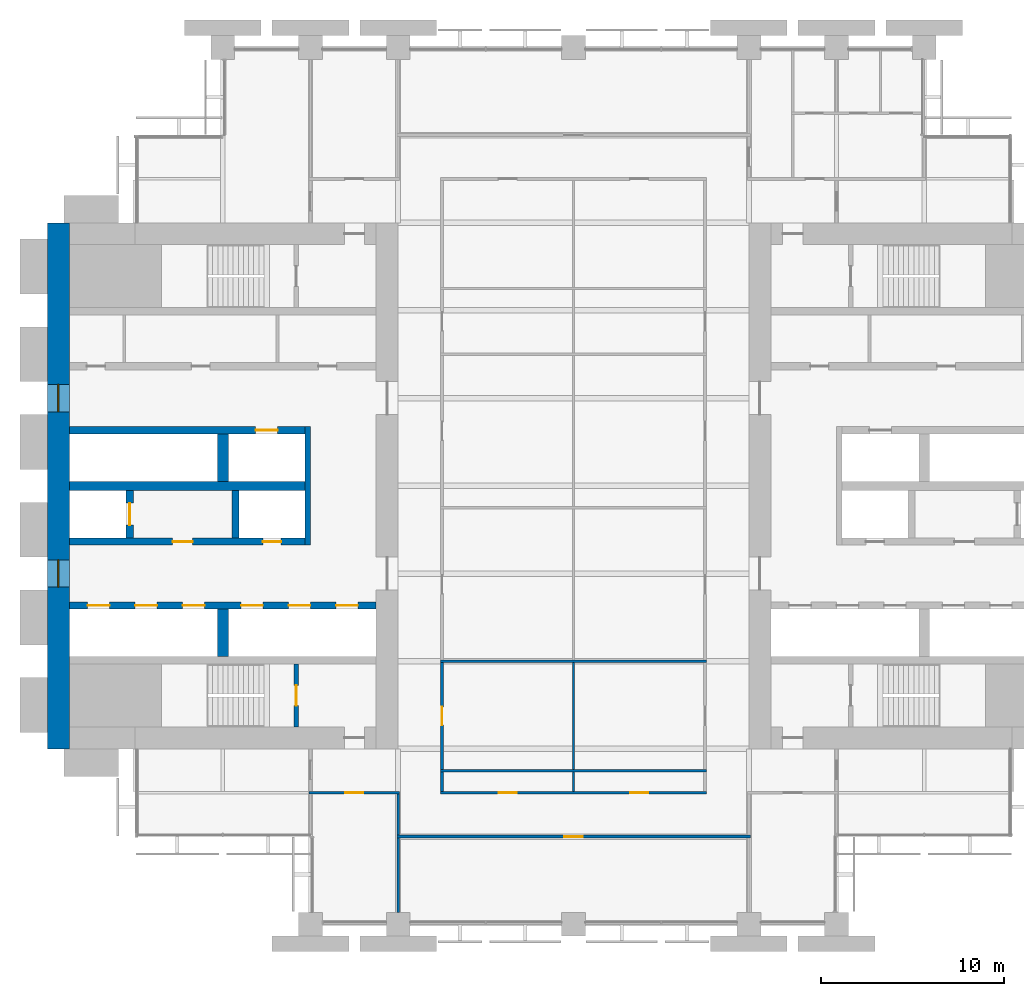
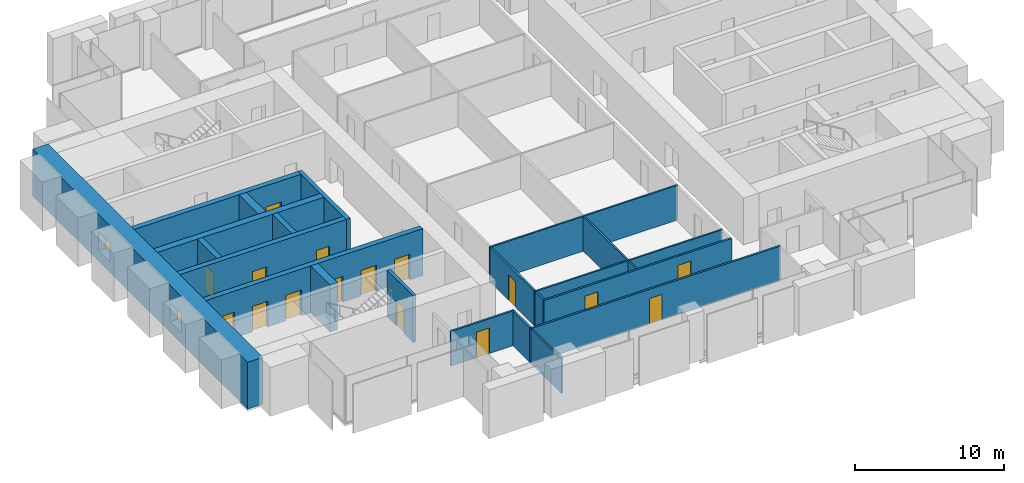
# One storey, part 9 of 14: 22 walls, 16 doors, 2 windows, 18 openings.
"""IFC4 building model written with IfcOpenShell, lengths in metres."""

from ifc_helpers import new_model, si_unit, direction, frame, frame_2d, origin, place, context, subcontext, project, spatial, rectangle, extrude, material, layer, layer_set, type_object, element, fill, save


model = new_model("IFC4")

# Units and contexts
model_context = context("Model", 3, precision=1e-05, world=origin(), true_north=direction((0.0, 1.0)))
body_context = subcontext(model_context, "Body", "Model", "MODEL_VIEW")
ifc_project = project(units=[si_unit("LENGTHUNIT", "METRE"), si_unit("AREAUNIT", "SQUARE_METRE"), si_unit("VOLUMEUNIT", "CUBIC_METRE"), si_unit("PLANEANGLEUNIT", "RADIAN"), si_unit("MASSUNIT", "GRAM", prefix="KILO")], contexts=[model_context])

# Site, building, storey
site_placement = place(None, origin())
site = spatial("IfcSite", under=ifc_project, at=site_placement, CompositionType="ELEMENT")
building_placement = place(site_placement, origin())
building = spatial("IfcBuilding", under=site, at=building_placement, Name="Baori Bourse Tower", CompositionType="ELEMENT")
storey_placement = place(building_placement, frame((0.0, 0.0, 79.0)))
storey = spatial("IfcBuildingStorey", under=building, at=storey_placement, Name="L17", CompositionType="ELEMENT", Elevation=79.0)

# Wall, openings, windows
ifc_material_1 = material(Name="Concrete f'c 70 MPa", Category="concrete")
ifc_layer_1 = layer(ifc_material_1, 1.199951171875)
ifc_layer_set_1 = layer_set([ifc_layer_1], Name="Core wall 1200 f'c 70")
wall_type_1 = type_object("IfcWallType", Name="Core wall 1200 f'c 70", PredefinedType="SHEAR", material=ifc_layer_set_1)
wall_1_placement = place(storey_placement, frame((0.60009765625, 9.60009765625, 0.0), z_axis=(0.0, 0.0, 1.0), x_axis=(0.0, 1.0, 0.0)))
wall_1 = element("IfcWall", 1, at=wall_1_placement, inside=storey, type_object=wall_type_1, Name="Core wall W01", PredefinedType="SHEAR", context=body_context, shape_type="SweptSolid", body=[
    extrude(rectangle(XDim=28.7998046875, YDim=1.199951171875, at=frame_2d((14.39990234375, 0.0))), origin(), (0.0, 0.0, 1.0), 3.840087890625),
])
opening_1_placement = place(wall_1_placement, frame((8.85009765625, 0.0, 0.89990234375)))
opening_1 = element("IfcOpeningElement", 2, at=opening_1_placement, cuts=wall_1, Name="Opening L17-KW101", PredefinedType="OPENING", context=body_context, shape_type="SweptSolid", body=[
    extrude(rectangle(XDim=1.5, YDim=1.5, at=frame_2d((0.75, 0.75))), frame((0.0, 0.60986328125, 0.0), z_axis=(0.0, -1.0, 0.0), x_axis=(1.0, 0.0, 0.0)), (0.0, 0.0, 1.0), 1.219970703125),
])
opening_2_placement = place(wall_1_placement, frame((18.449951171875, 0.0, 0.89990234375)))
opening_2 = element("IfcOpeningElement", 3, at=opening_2_placement, cuts=wall_1, Name="Opening L17-KW102", PredefinedType="OPENING", context=body_context, shape_type="SweptSolid", body=[
    extrude(rectangle(XDim=1.5, YDim=1.5, at=frame_2d((0.75, 0.75))), frame((0.0, 0.60986328125, 0.0), z_axis=(0.0, -1.0, 0.0), x_axis=(1.0, 0.0, 0.0)), (0.0, 0.0, 1.0), 1.219970703125),
])
ifc_material_2 = material(Name="Pale anodised aluminium", Category="aluminium")
window_type = type_object("IfcWindowType", Name="Lobby window 1500 x 1500", PartitioningType="SINGLE_PANEL", PredefinedType="WINDOW", material=ifc_material_2)
window_1_placement = place(opening_1_placement, origin())
window_1 = element("IfcWindow", 4, at=window_1_placement, inside=storey, type_object=window_type, Name="Outer wall window W L17 1", OverallHeight=1.5, OverallWidth=1.5, PartitioningType="SINGLE_PANEL", PredefinedType="WINDOW", context=body_context, shape_type="SweptSolid", body=[
    extrude(rectangle(XDim=1.5, YDim=1.5, at=frame_2d((0.75, 0.75))), frame((0.0, 0.030029296875, 0.0), z_axis=(0.0, -1.0, 0.0), x_axis=(1.0, 0.0, 0.0)), (0.0, 0.0, 1.0), 0.06005859375),
])
fill(opening_1, window_1)
window_2_placement = place(opening_2_placement, origin())
window_2 = element("IfcWindow", 5, at=window_2_placement, inside=storey, type_object=window_type, Name="Outer wall window W L17 2", OverallHeight=1.5, OverallWidth=1.5, PartitioningType="SINGLE_PANEL", PredefinedType="WINDOW", context=body_context, shape_type="SweptSolid", body=[
    extrude(rectangle(XDim=1.5, YDim=1.5, at=frame_2d((0.75, 0.75))), frame((0.0, 0.030029296875, 0.0), z_axis=(0.0, -1.0, 0.0), x_axis=(1.0, 0.0, 0.0)), (0.0, 0.0, 1.0), 0.06005859375),
])
fill(opening_2, window_2)

# Wall, opening, door
ifc_material_3 = material(Name="Gypsum board partition")
ifc_layer_2 = layer(ifc_material_3, 0.14990234375)
ifc_layer_set_2 = layer_set([ifc_layer_2], Name="Corridor partition 150")
wall_type_2 = type_object("IfcWallType", Name="Corridor partition 150", PredefinedType="PARTITIONING", material=ifc_layer_set_2)
wall_2_placement = place(storey_placement, frame((19.125, 4.800048828125, 0.0), z_axis=(0.0, 0.0, 1.0), x_axis=(1.0, 0.0, 0.0)))
wall_2 = element("IfcWall", 6, at=wall_2_placement, inside=storey, type_object=wall_type_2, Name="Partition", PredefinedType="PARTITIONING", context=body_context, shape_type="SweptSolid", body=[
    extrude(rectangle(XDim=19.35009765625, YDim=0.14990234375, at=frame_2d((9.675048828125, 0.0))), origin(), (0.0, 0.0, 1.0), 2.849365234375),
])
opening_3_placement = place(wall_2_placement, frame((9.175048828125, 0.0, 0.0)))
opening_3 = element("IfcOpeningElement", 7, at=opening_3_placement, cuts=wall_2, Name="Opening L17-D01", PredefinedType="OPENING", context=body_context, shape_type="SweptSolid", body=[
    extrude(rectangle(XDim=1.0, YDim=2.10009765625, at=frame_2d((0.5, 1.050048828125))), frame((0.0, 0.0849609375, 0.0), z_axis=(0.0, -1.0, 0.0), x_axis=(1.0, 0.0, 0.0)), (0.0, 0.0, 1.0), 0.169921875),
])
ifc_material_4 = material(Name="Timber door leaf", Category="wood")
door_type_1 = type_object("IfcDoorType", Name="Door 1000 x 2100", OperationType="SINGLE_SWING_LEFT", PredefinedType="DOOR", material=ifc_material_4)
door_1_placement = place(opening_3_placement, origin())
door_1 = element("IfcDoor", 8, at=door_1_placement, inside=storey, type_object=door_type_1, Name="Door", OperationType="SINGLE_SWING_LEFT", OverallHeight=2.10009765625, OverallWidth=1.0, PredefinedType="DOOR", context=body_context, shape_type="SweptSolid", body=[
    extrude(rectangle(XDim=1.0, YDim=2.10009765625, at=frame_2d((0.5, 1.050048828125))), frame((0.0, 0.02490234375, 0.0), z_axis=(0.0, -1.0, 0.0), x_axis=(1.0, 0.0, 0.0)), (0.0, 0.0, 1.0), 0.050048828125),
])
fill(opening_3, door_1)

wall_3_placement = place(storey_placement, frame((14.324951171875, 7.199951171875, 0.0), z_axis=(0.0, 0.0, 1.0), x_axis=(1.0, 0.0, 0.0)))
wall_3 = element("IfcWall", 9, at=wall_3_placement, inside=storey, type_object=wall_type_2, Name="Partition", PredefinedType="PARTITIONING", context=body_context, shape_type="SweptSolid", body=[
    extrude(rectangle(XDim=4.949951171875, YDim=0.14990234375, at=frame_2d((2.47509765625, 0.0))), origin(), (0.0, 0.0, 1.0), 2.849365234375),
])
opening_4_placement = place(wall_3_placement, frame((1.97509765625, 0.0, 0.0)))
opening_4 = element("IfcOpeningElement", 10, at=opening_4_placement, cuts=wall_3, Name="Opening L17-D02", PredefinedType="OPENING", context=body_context, shape_type="SweptSolid", body=[
    extrude(rectangle(XDim=1.0, YDim=2.10009765625, at=frame_2d((0.5, 1.050048828125))), frame((0.0, 0.0849609375, 0.0), z_axis=(0.0, -1.0, 0.0), x_axis=(1.0, 0.0, 0.0)), (0.0, 0.0, 1.0), 0.169921875),
])
door_2_placement = place(opening_4_placement, origin())
door_2 = element("IfcDoor", 11, at=door_2_placement, inside=storey, type_object=door_type_1, Name="Door", OperationType="SINGLE_SWING_RIGHT", OverallHeight=2.10009765625, OverallWidth=1.0, PredefinedType="DOOR", context=body_context, shape_type="SweptSolid", body=[
    extrude(rectangle(XDim=1.0, YDim=2.10009765625, at=frame_2d((0.5, 1.050048828125))), frame((0.0, 0.02490234375, 0.0), z_axis=(0.0, -1.0, 0.0), x_axis=(1.0, 0.0, 0.0)), (0.0, 0.0, 1.0), 0.050048828125),
])
fill(opening_4, door_2)

# Wall, openings, doors
wall_4_placement = place(storey_placement, frame((21.52490234375, 7.199951171875, 0.0), z_axis=(0.0, 0.0, 1.0), x_axis=(1.0, 0.0, 0.0)))
wall_4 = element("IfcWall", 12, at=wall_4_placement, inside=storey, type_object=wall_type_2, Name="Partition", PredefinedType="PARTITIONING", context=body_context, shape_type="SweptSolid", body=[
    extrude(rectangle(XDim=14.550048828125, YDim=0.14990234375, at=frame_2d((7.27490234375, 0.0))), origin(), (0.0, 0.0, 1.0), 2.849365234375),
])
opening_5_placement = place(wall_4_placement, frame((3.175048828125, 0.0, 0.0)))
opening_5 = element("IfcOpeningElement", 13, at=opening_5_placement, cuts=wall_4, Name="Opening L17-D03", PredefinedType="OPENING", context=body_context, shape_type="SweptSolid", body=[
    extrude(rectangle(XDim=1.0, YDim=2.10009765625, at=frame_2d((0.5, 1.050048828125))), frame((0.0, 0.0849609375, 0.0), z_axis=(0.0, -1.0, 0.0), x_axis=(1.0, 0.0, 0.0)), (0.0, 0.0, 1.0), 0.169921875),
])
opening_6_placement = place(wall_4_placement, frame((10.375, 0.0, 0.0)))
opening_6 = element("IfcOpeningElement", 14, at=opening_6_placement, cuts=wall_4, Name="Opening L17-D04", PredefinedType="OPENING", context=body_context, shape_type="SweptSolid", body=[
    extrude(rectangle(XDim=1.0, YDim=2.10009765625, at=frame_2d((0.5, 1.050048828125))), frame((0.0, 0.0849609375, 0.0), z_axis=(0.0, -1.0, 0.0), x_axis=(1.0, 0.0, 0.0)), (0.0, 0.0, 1.0), 0.169921875),
])
door_3_placement = place(opening_5_placement, origin())
door_3 = element("IfcDoor", 15, at=door_3_placement, inside=storey, type_object=door_type_1, Name="Door", OperationType="SINGLE_SWING_RIGHT", OverallHeight=2.10009765625, OverallWidth=1.0, PredefinedType="DOOR", context=body_context, shape_type="SweptSolid", body=[
    extrude(rectangle(XDim=1.0, YDim=2.10009765625, at=frame_2d((0.5, 1.050048828125))), frame((0.0, 0.02490234375, 0.0), z_axis=(0.0, -1.0, 0.0), x_axis=(1.0, 0.0, 0.0)), (0.0, 0.0, 1.0), 0.050048828125),
])
fill(opening_5, door_3)
door_4_placement = place(opening_6_placement, origin())
door_4 = element("IfcDoor", 16, at=door_4_placement, inside=storey, type_object=door_type_1, Name="Door", OperationType="SINGLE_SWING_LEFT", OverallHeight=2.10009765625, OverallWidth=1.0, PredefinedType="DOOR", context=body_context, shape_type="SweptSolid", body=[
    extrude(rectangle(XDim=1.0, YDim=2.10009765625, at=frame_2d((0.5, 1.050048828125))), frame((0.0, 0.02490234375, 0.0), z_axis=(0.0, -1.0, 0.0), x_axis=(1.0, 0.0, 0.0)), (0.0, 0.0, 1.0), 0.050048828125),
])
fill(opening_6, door_4)

# Walls
wall_5_placement = place(storey_placement, frame((19.199951171875, 4.875, 0.0), z_axis=(0.0, 0.0, 1.0), x_axis=(0.0, 1.0, 0.0)))
element("IfcWall", 17, at=wall_5_placement, inside=storey, type_object=wall_type_2, Name="Partition", PredefinedType="PARTITIONING", context=body_context, shape_type="SweptSolid", body=[
    extrude(rectangle(XDim=2.25, YDim=0.14990234375, at=frame_2d((1.125, 0.0))), origin(), (0.0, 0.0, 1.0), 2.849365234375),
])
wall_6_placement = place(storey_placement, frame((21.60009765625, 7.27490234375, 0.0), z_axis=(0.0, 0.0, 1.0), x_axis=(0.0, 1.0, 0.0)))
element("IfcWall", 18, at=wall_6_placement, inside=storey, type_object=wall_type_2, Name="Partition", PredefinedType="PARTITIONING", context=body_context, shape_type="SweptSolid", body=[
    extrude(rectangle(XDim=1.0625, YDim=0.14990234375, at=frame_2d((0.53125, 0.0))), origin(), (0.0, 0.0, 1.0), 2.849365234375),
])

# Wall, opening, door
wall_7_placement = place(storey_placement, frame((21.60009765625, 8.46240234375, 0.0), z_axis=(0.0, 0.0, 1.0), x_axis=(0.0, 1.0, 0.0)))
wall_7 = element("IfcWall", 19, at=wall_7_placement, inside=storey, type_object=wall_type_2, Name="Partition", PredefinedType="PARTITIONING", context=body_context, shape_type="SweptSolid", body=[
    extrude(rectangle(XDim=5.875, YDim=0.14990234375, at=frame_2d((2.9375, 0.0))), origin(), (0.0, 0.0, 1.0), 2.849365234375),
])
opening_7_placement = place(wall_7_placement, frame((2.4375, 0.0, 0.0)))
opening_7 = element("IfcOpeningElement", 20, at=opening_7_placement, cuts=wall_7, Name="Opening L17-D16", PredefinedType="OPENING", context=body_context, shape_type="SweptSolid", body=[
    extrude(rectangle(XDim=1.0, YDim=2.10009765625, at=frame_2d((0.5, 1.050048828125))), frame((0.0, 0.0849609375, 0.0), z_axis=(0.0, -1.0, 0.0), x_axis=(1.0, 0.0, 0.0)), (0.0, 0.0, 1.0), 0.169921875),
])
door_5_placement = place(opening_7_placement, origin())
door_5 = element("IfcDoor", 21, at=door_5_placement, inside=storey, type_object=door_type_1, Name="Door", OperationType="SINGLE_SWING_LEFT", OverallHeight=2.10009765625, OverallWidth=1.0, PredefinedType="DOOR", context=body_context, shape_type="SweptSolid", body=[
    extrude(rectangle(XDim=1.0, YDim=2.10009765625, at=frame_2d((0.5, 1.050048828125))), frame((0.0, 0.02490234375, 0.0), z_axis=(0.0, -1.0, 0.0), x_axis=(1.0, 0.0, 0.0)), (0.0, 0.0, 1.0), 0.050048828125),
])
fill(opening_7, door_5)

# Walls
ifc_material_5 = material(Name="Gypsum board partition")
ifc_layer_3 = layer(ifc_material_5, 0.125)
ifc_layer_set_3 = layer_set([ifc_layer_3], Name="Partition 125")
wall_type_3 = type_object("IfcWallType", Name="Partition 125", PredefinedType="PARTITIONING", material=ifc_layer_set_3)
for number, where, z_axis, x_axis, name in (
    (22, (21.52490234375, 8.39990234375, 0.0), (0.0, 0.0, 1.0), (1.0, 0.0, 0.0), "Partition"),
    (23, (21.52490234375, 14.39990234375, 0.0), (0.0, 0.0, 1.0), (1.0, 0.0, 0.0), "Partition"),
):
    element("IfcWall", number, at=place(storey_placement, frame(where, z_axis=z_axis, x_axis=x_axis)), inside=storey, type_object=wall_type_3, Name=name, PredefinedType="PARTITIONING", context=body_context, shape_type="SweptSolid", body=[
        extrude(rectangle(XDim=14.550048828125, YDim=0.125, at=frame_2d((7.27490234375, 0.0))), origin(), (0.0, 0.0, 1.0), 2.849365234375),
    ])
wall_8_placement = place(storey_placement, frame((19.199951171875, 0.64990234375, 0.0), z_axis=(0.0, 0.0, 1.0), x_axis=(0.0, 1.0, 0.0)))
element("IfcWall", 24, at=wall_8_placement, inside=storey, type_object=wall_type_3, Name="Partition", PredefinedType="PARTITIONING", context=body_context, shape_type="SweptSolid", body=[
    extrude(rectangle(XDim=4.0751953125, YDim=0.125, at=frame_2d((2.03759765625, 0.0))), origin(), (0.0, 0.0, 1.0), 2.849365234375),
])
wall_9_placement = place(storey_placement, frame((28.800048828125, 7.27490234375, 0.0), z_axis=(0.0, 0.0, 1.0), x_axis=(0.0, 1.0, 0.0)))
element("IfcWall", 25, at=wall_9_placement, inside=storey, type_object=wall_type_3, Name="Partition", PredefinedType="PARTITIONING", context=body_context, shape_type="SweptSolid", body=[
    extrude(rectangle(XDim=1.0625, YDim=0.125, at=frame_2d((0.53125, 0.0))), origin(), (0.0, 0.0, 1.0), 2.849365234375),
])
wall_10_placement = place(storey_placement, frame((28.800048828125, 8.46240234375, 0.0), z_axis=(0.0, 0.0, 1.0), x_axis=(0.0, 1.0, 0.0)))
element("IfcWall", 26, at=wall_10_placement, inside=storey, type_object=wall_type_3, Name="Partition", PredefinedType="PARTITIONING", context=body_context, shape_type="SweptSolid", body=[
    extrude(rectangle(XDim=5.875, YDim=0.125, at=frame_2d((2.9375, 0.0))), origin(), (0.0, 0.0, 1.0), 2.849365234375),
])

# Wall, opening, door
ifc_material_6 = material(Name="Concrete f'c 70 MPa", Category="concrete")
ifc_layer_4 = layer(ifc_material_6, 0.25)
ifc_layer_set_4 = layer_set([ifc_layer_4], Name="Shaft wall 250 f'c 70")
wall_type_4 = type_object("IfcWallType", Name="Shaft wall 250 f'c 70", PredefinedType="SHEAR", material=ifc_layer_set_4)
wall_11_placement = place(storey_placement, frame((13.625, 10.800048828125, 0.0), z_axis=(0.0, 0.0, 1.0), x_axis=(0.0, 1.0, 0.0)))
wall_11 = element("IfcWall", 27, at=wall_11_placement, inside=storey, type_object=wall_type_4, Name="Core wall W06", PredefinedType="SHEAR", context=body_context, shape_type="SweptSolid", body=[
    extrude(rectangle(XDim=3.449951171875, YDim=0.25, at=frame_2d((1.72509765625, 0.0))), origin(), (0.0, 0.0, 1.0), 3.840087890625),
])
opening_8_placement = place(wall_11_placement, frame((1.175048828125, 0.0, 0.0)))
opening_8 = element("IfcOpeningElement", 28, at=opening_8_placement, cuts=wall_11, Name="Opening L17-D101", PredefinedType="OPENING", context=body_context, shape_type="SweptSolid", body=[
    extrude(rectangle(XDim=1.10009765625, YDim=2.10009765625, at=frame_2d((0.550048828125, 1.050048828125))), frame((0.0, 0.135009765625, 0.0), z_axis=(0.0, -1.0, 0.0), x_axis=(1.0, 0.0, 0.0)), (0.0, 0.0, 1.0), 0.27001953125),
])
ifc_material_7 = material(Name="Painted steel door", Category="steel")
door_type_2 = type_object("IfcDoorType", Name="Stair door 1100", OperationType="SINGLE_SWING_LEFT", PredefinedType="DOOR", material=ifc_material_7)
door_6_placement = place(opening_8_placement, origin())
door_6 = element("IfcDoor", 29, at=door_6_placement, inside=storey, type_object=door_type_2, Name="Stair door A W L17", OperationType="SINGLE_SWING_LEFT", OverallHeight=2.10009765625, OverallWidth=1.10009765625, PredefinedType="DOOR", context=body_context, shape_type="SweptSolid", body=[
    extrude(rectangle(XDim=1.10009765625, YDim=2.10009765625, at=frame_2d((0.550048828125, 1.050048828125))), frame((0.0, 0.02490234375, 0.0), z_axis=(0.0, -1.0, 0.0), x_axis=(1.0, 0.0, 0.0)), (0.0, 0.0, 1.0), 0.050048828125),
])
fill(opening_8, door_6)

# Wall
ifc_material_8 = material(Name="Concrete f'c 70 MPa", Category="concrete")
ifc_layer_5 = layer(ifc_material_8, 0.300048828125)
ifc_layer_set_5 = layer_set([ifc_layer_5], Name="Shaft wall 300 f'c 70")
wall_type_5 = type_object("IfcWallType", Name="Shaft wall 300 f'c 70", PredefinedType="SHEAR", material=ifc_layer_set_5)
wall_12_placement = place(storey_placement, frame((14.25, 20.75, 0.0), z_axis=(0.0, 0.0, 1.0), x_axis=(0.0, 1.0, 0.0)))
element("IfcWall", 30, at=wall_12_placement, inside=storey, type_object=wall_type_5, Name="Core wall W11", PredefinedType="SHEAR", context=body_context, shape_type="SweptSolid", body=[
    extrude(rectangle(XDim=6.5, YDim=0.300048828125, at=frame_2d((3.25, 0.0))), origin(), (0.0, 0.0, 1.0), 3.840087890625),
])

# Wall, openings, doors
ifc_material_9 = material(Name="Concrete f'c 70 MPa", Category="concrete")
ifc_layer_6 = layer(ifc_material_9, 0.39990234375)
ifc_layer_set_6 = layer_set([ifc_layer_6], Name="Shaft wall 400 f'c 70")
wall_type_6 = type_object("IfcWallType", Name="Shaft wall 400 f'c 70", PredefinedType="SHEAR", material=ifc_layer_set_6)
wall_13_placement = place(storey_placement, frame((1.199951171875, 17.449951171875, 0.0), z_axis=(0.0, 0.0, 1.0), x_axis=(1.0, 0.0, 0.0)))
wall_13 = element("IfcWall", 31, at=wall_13_placement, inside=storey, type_object=wall_type_6, Name="Core wall W09", PredefinedType="SHEAR", context=body_context, shape_type="SweptSolid", body=[
    extrude(rectangle(XDim=16.800048828125, YDim=0.39990234375, at=frame_2d((8.39990234375, 0.0))), origin(), (0.0, 0.0, 1.0), 3.840087890625),
])
opening_9_placement = place(wall_13_placement, frame((1.0, 0.0, 0.0)))
opening_9 = element("IfcOpeningElement", 32, at=opening_9_placement, cuts=wall_13, Name="Opening L17-D112", PredefinedType="OPENING", context=body_context, shape_type="SweptSolid", body=[
    extrude(rectangle(XDim=1.199951171875, YDim=2.10009765625, at=frame_2d((0.60009765625, 1.050048828125))), frame((0.0, 0.2099609375, 0.0), z_axis=(0.0, -1.0, 0.0), x_axis=(1.0, 0.0, 0.0)), (0.0, 0.0, 1.0), 0.419921875),
])
opening_10_placement = place(wall_13_placement, frame((3.60009765625, 0.0, 0.0)))
opening_10 = element("IfcOpeningElement", 33, at=opening_10_placement, cuts=wall_13, Name="Opening L17-D113", PredefinedType="OPENING", context=body_context, shape_type="SweptSolid", body=[
    extrude(rectangle(XDim=1.199951171875, YDim=2.10009765625, at=frame_2d((0.60009765625, 1.050048828125))), frame((0.0, 0.2099609375, 0.0), z_axis=(0.0, -1.0, 0.0), x_axis=(1.0, 0.0, 0.0)), (0.0, 0.0, 1.0), 0.419921875),
])
opening_11_placement = place(wall_13_placement, frame((6.199951171875, 0.0, 0.0)))
opening_11 = element("IfcOpeningElement", 34, at=opening_11_placement, cuts=wall_13, Name="Opening L17-D114", PredefinedType="OPENING", context=body_context, shape_type="SweptSolid", body=[
    extrude(rectangle(XDim=1.199951171875, YDim=2.10009765625, at=frame_2d((0.60009765625, 1.050048828125))), frame((0.0, 0.2099609375, 0.0), z_axis=(0.0, -1.0, 0.0), x_axis=(1.0, 0.0, 0.0)), (0.0, 0.0, 1.0), 0.419921875),
])
opening_12_placement = place(wall_13_placement, frame((9.39990234375, 0.0, 0.0)))
opening_12 = element("IfcOpeningElement", 35, at=opening_12_placement, cuts=wall_13, Name="Opening L17-D115", PredefinedType="OPENING", context=body_context, shape_type="SweptSolid", body=[
    extrude(rectangle(XDim=1.199951171875, YDim=2.10009765625, at=frame_2d((0.60009765625, 1.050048828125))), frame((0.0, 0.2099609375, 0.0), z_axis=(0.0, -1.0, 0.0), x_axis=(1.0, 0.0, 0.0)), (0.0, 0.0, 1.0), 0.419921875),
])
opening_13_placement = place(wall_13_placement, frame((12.0, 0.0, 0.0)))
opening_13 = element("IfcOpeningElement", 36, at=opening_13_placement, cuts=wall_13, Name="Opening L17-D116", PredefinedType="OPENING", context=body_context, shape_type="SweptSolid", body=[
    extrude(rectangle(XDim=1.199951171875, YDim=2.10009765625, at=frame_2d((0.60009765625, 1.050048828125))), frame((0.0, 0.2099609375, 0.0), z_axis=(0.0, -1.0, 0.0), x_axis=(1.0, 0.0, 0.0)), (0.0, 0.0, 1.0), 0.419921875),
])
opening_14_placement = place(wall_13_placement, frame((14.60009765625, 0.0, 0.0)))
opening_14 = element("IfcOpeningElement", 37, at=opening_14_placement, cuts=wall_13, Name="Opening L17-D117", PredefinedType="OPENING", context=body_context, shape_type="SweptSolid", body=[
    extrude(rectangle(XDim=1.199951171875, YDim=2.10009765625, at=frame_2d((0.60009765625, 1.050048828125))), frame((0.0, 0.2099609375, 0.0), z_axis=(0.0, -1.0, 0.0), x_axis=(1.0, 0.0, 0.0)), (0.0, 0.0, 1.0), 0.419921875),
])
ifc_material_10 = material(Name="Stainless steel door", Category="steel")
door_type_3 = type_object("IfcDoorType", Name="Lift landing door", OperationType="DOUBLE_DOOR_SLIDING", PredefinedType="DOOR", material=ifc_material_10)
door_7_placement = place(opening_9_placement, origin())
door_7 = element("IfcDoor", 38, at=door_7_placement, inside=storey, type_object=door_type_3, Name="Lift landing door LR1 W L17", OperationType="DOUBLE_DOOR_SLIDING", OverallHeight=2.10009765625, OverallWidth=1.199951171875, PredefinedType="DOOR", context=body_context, shape_type="SweptSolid", body=[
    extrude(rectangle(XDim=1.199951171875, YDim=2.10009765625, at=frame_2d((0.60009765625, 1.050048828125))), frame((0.0, 0.02490234375, 0.0), z_axis=(0.0, -1.0, 0.0), x_axis=(1.0, 0.0, 0.0)), (0.0, 0.0, 1.0), 0.050048828125),
])
fill(opening_9, door_7)
door_8_placement = place(opening_10_placement, origin())
door_8 = element("IfcDoor", 39, at=door_8_placement, inside=storey, type_object=door_type_3, Name="Lift landing door LR2 W L17", OperationType="DOUBLE_DOOR_SLIDING", OverallHeight=2.10009765625, OverallWidth=1.199951171875, PredefinedType="DOOR", context=body_context, shape_type="SweptSolid", body=[
    extrude(rectangle(XDim=1.199951171875, YDim=2.10009765625, at=frame_2d((0.60009765625, 1.050048828125))), frame((0.0, 0.02490234375, 0.0), z_axis=(0.0, -1.0, 0.0), x_axis=(1.0, 0.0, 0.0)), (0.0, 0.0, 1.0), 0.050048828125),
])
fill(opening_10, door_8)
door_9_placement = place(opening_11_placement, origin())
door_9 = element("IfcDoor", 40, at=door_9_placement, inside=storey, type_object=door_type_3, Name="Lift landing door LR3 W L17", OperationType="DOUBLE_DOOR_SLIDING", OverallHeight=2.10009765625, OverallWidth=1.199951171875, PredefinedType="DOOR", context=body_context, shape_type="SweptSolid", body=[
    extrude(rectangle(XDim=1.199951171875, YDim=2.10009765625, at=frame_2d((0.60009765625, 1.050048828125))), frame((0.0, 0.02490234375, 0.0), z_axis=(0.0, -1.0, 0.0), x_axis=(1.0, 0.0, 0.0)), (0.0, 0.0, 1.0), 0.050048828125),
])
fill(opening_11, door_9)
door_10_placement = place(opening_12_placement, origin())
door_10 = element("IfcDoor", 41, at=door_10_placement, inside=storey, type_object=door_type_3, Name="Lift landing door LR4 W L17", OperationType="DOUBLE_DOOR_SLIDING", OverallHeight=2.10009765625, OverallWidth=1.199951171875, PredefinedType="DOOR", context=body_context, shape_type="SweptSolid", body=[
    extrude(rectangle(XDim=1.199951171875, YDim=2.10009765625, at=frame_2d((0.60009765625, 1.050048828125))), frame((0.0, 0.02490234375, 0.0), z_axis=(0.0, -1.0, 0.0), x_axis=(1.0, 0.0, 0.0)), (0.0, 0.0, 1.0), 0.050048828125),
])
fill(opening_12, door_10)
door_11_placement = place(opening_13_placement, origin())
door_11 = element("IfcDoor", 42, at=door_11_placement, inside=storey, type_object=door_type_3, Name="Lift landing door LR5 W L17", OperationType="DOUBLE_DOOR_SLIDING", OverallHeight=2.10009765625, OverallWidth=1.199951171875, PredefinedType="DOOR", context=body_context, shape_type="SweptSolid", body=[
    extrude(rectangle(XDim=1.199951171875, YDim=2.10009765625, at=frame_2d((0.60009765625, 1.050048828125))), frame((0.0, 0.02490234375, 0.0), z_axis=(0.0, -1.0, 0.0), x_axis=(1.0, 0.0, 0.0)), (0.0, 0.0, 1.0), 0.050048828125),
])
fill(opening_13, door_11)
door_12_placement = place(opening_14_placement, origin())
door_12 = element("IfcDoor", 43, at=door_12_placement, inside=storey, type_object=door_type_3, Name="Lift landing door LR6 W L17", OperationType="DOUBLE_DOOR_SLIDING", OverallHeight=2.10009765625, OverallWidth=1.199951171875, PredefinedType="DOOR", context=body_context, shape_type="SweptSolid", body=[
    extrude(rectangle(XDim=1.199951171875, YDim=2.10009765625, at=frame_2d((0.60009765625, 1.050048828125))), frame((0.0, 0.02490234375, 0.0), z_axis=(0.0, -1.0, 0.0), x_axis=(1.0, 0.0, 0.0)), (0.0, 0.0, 1.0), 0.050048828125),
])
fill(opening_14, door_12)

wall_14_placement = place(storey_placement, frame((1.199951171875, 20.949951171875, 0.0), z_axis=(0.0, 0.0, 1.0), x_axis=(1.0, 0.0, 0.0)))
wall_14 = element("IfcWall", 44, at=wall_14_placement, inside=storey, type_object=wall_type_6, Name="Core wall W10", PredefinedType="SHEAR", context=body_context, shape_type="SweptSolid", body=[
    extrude(rectangle(XDim=12.900146484375, YDim=0.39990234375, at=frame_2d((6.4501953125, 0.0))), origin(), (0.0, 0.0, 1.0), 3.840087890625),
])
opening_15_placement = place(wall_14_placement, frame((5.64990234375, 0.0, 0.0)))
opening_15 = element("IfcOpeningElement", 45, at=opening_15_placement, cuts=wall_14, Name="Opening L17-D105", PredefinedType="OPENING", context=body_context, shape_type="SweptSolid", body=[
    extrude(rectangle(XDim=1.10009765625, YDim=2.10009765625, at=frame_2d((0.550048828125, 1.050048828125))), frame((0.0, 0.2099609375, 0.0), z_axis=(0.0, -1.0, 0.0), x_axis=(1.0, 0.0, 0.0)), (0.0, 0.0, 1.0), 0.419921875),
])
opening_16_placement = place(wall_14_placement, frame((10.60009765625, 0.0, 0.0)))
opening_16 = element("IfcOpeningElement", 46, at=opening_16_placement, cuts=wall_14, Name="Opening L17-D106", PredefinedType="OPENING", context=body_context, shape_type="SweptSolid", body=[
    extrude(rectangle(XDim=1.0, YDim=2.10009765625, at=frame_2d((0.5, 1.050048828125))), frame((0.0, 0.2099609375, 0.0), z_axis=(0.0, -1.0, 0.0), x_axis=(1.0, 0.0, 0.0)), (0.0, 0.0, 1.0), 0.419921875),
])
ifc_material_11 = material(Name="Painted steel door", Category="steel")
door_type_4 = type_object("IfcDoorType", Name="Lobby door 1100", OperationType="SINGLE_SWING_LEFT", PredefinedType="DOOR", material=ifc_material_11)
door_13_placement = place(opening_15_placement, origin())
door_13 = element("IfcDoor", 47, at=door_13_placement, inside=storey, type_object=door_type_4, Name="Firefighting lobby door W L17", OperationType="SINGLE_SWING_LEFT", OverallHeight=2.10009765625, OverallWidth=1.10009765625, PredefinedType="DOOR", context=body_context, shape_type="SweptSolid", body=[
    extrude(rectangle(XDim=1.10009765625, YDim=2.10009765625, at=frame_2d((0.550048828125, 1.050048828125))), frame((0.0, 0.02490234375, 0.0), z_axis=(0.0, -1.0, 0.0), x_axis=(1.0, 0.0, 0.0)), (0.0, 0.0, 1.0), 0.050048828125),
])
fill(opening_15, door_13)
ifc_material_12 = material(Name="Painted steel door", Category="steel")
door_type_5 = type_object("IfcDoorType", Name="Shaft door 1000", OperationType="SINGLE_SWING_LEFT", PredefinedType="DOOR", material=ifc_material_12)
door_14_placement = place(opening_16_placement, origin())
door_14 = element("IfcDoor", 48, at=door_14_placement, inside=storey, type_object=door_type_5, Name="Riser room door W L17", OperationType="SINGLE_SWING_LEFT", OverallHeight=2.10009765625, OverallWidth=1.0, PredefinedType="DOOR", context=body_context, shape_type="SweptSolid", body=[
    extrude(rectangle(XDim=1.0, YDim=2.10009765625, at=frame_2d((0.5, 1.050048828125))), frame((0.0, 0.02490234375, 0.0), z_axis=(0.0, -1.0, 0.0), x_axis=(1.0, 0.0, 0.0)), (0.0, 0.0, 1.0), 0.050048828125),
])
fill(opening_16, door_14)

# Wall, opening, door
wall_15_placement = place(storey_placement, frame((4.5, 21.14990234375, 0.0), z_axis=(0.0, 0.0, 1.0), x_axis=(0.0, 1.0, 0.0)))
wall_15 = element("IfcWall", 49, at=wall_15_placement, inside=storey, type_object=wall_type_6, Name="Core wall W12", PredefinedType="SHEAR", context=body_context, shape_type="SweptSolid", body=[
    extrude(rectangle(XDim=2.60009765625, YDim=0.39990234375, at=frame_2d((1.300048828125, 0.0))), origin(), (0.0, 0.0, 1.0), 3.840087890625),
])
opening_17_placement = place(wall_15_placement, frame((0.699951171875, 0.0, 0.0)))
opening_17 = element("IfcOpeningElement", 50, at=opening_17_placement, cuts=wall_15, Name="Opening L17-D119", PredefinedType="OPENING", context=body_context, shape_type="SweptSolid", body=[
    extrude(rectangle(XDim=1.199951171875, YDim=2.10009765625, at=frame_2d((0.60009765625, 1.050048828125))), frame((0.0, 0.2099609375, 0.0), z_axis=(0.0, -1.0, 0.0), x_axis=(1.0, 0.0, 0.0)), (0.0, 0.0, 1.0), 0.419921875),
])
door_15_placement = place(opening_17_placement, origin())
door_15 = element("IfcDoor", 51, at=door_15_placement, inside=storey, type_object=door_type_3, Name="Lift landing door FF1 W L17", OperationType="DOUBLE_DOOR_SLIDING", OverallHeight=2.10009765625, OverallWidth=1.199951171875, PredefinedType="DOOR", context=body_context, shape_type="SweptSolid", body=[
    extrude(rectangle(XDim=1.199951171875, YDim=2.10009765625, at=frame_2d((0.60009765625, 1.050048828125))), frame((0.0, 0.02490234375, 0.0), z_axis=(0.0, -1.0, 0.0), x_axis=(1.0, 0.0, 0.0)), (0.0, 0.0, 1.0), 0.050048828125),
])
fill(opening_17, door_15)

# Wall
wall_16_placement = place(storey_placement, frame((10.300048828125, 21.14990234375, 0.0), z_axis=(0.0, 0.0, 1.0), x_axis=(0.0, 1.0, 0.0)))
element("IfcWall", 52, at=wall_16_placement, inside=storey, type_object=wall_type_6, Name="Core wall W13", PredefinedType="SHEAR", context=body_context, shape_type="SweptSolid", body=[
    extrude(rectangle(XDim=2.60009765625, YDim=0.39990234375, at=frame_2d((1.300048828125, 0.0))), origin(), (0.0, 0.0, 1.0), 3.840087890625),
])

# Wall, opening, door
wall_17_placement = place(storey_placement, frame((1.199951171875, 27.050048828125, 0.0), z_axis=(0.0, 0.0, 1.0), x_axis=(1.0, 0.0, 0.0)))
wall_17 = element("IfcWall", 53, at=wall_17_placement, inside=storey, type_object=wall_type_6, Name="Core wall W16", PredefinedType="SHEAR", context=body_context, shape_type="SweptSolid", body=[
    extrude(rectangle(XDim=12.900146484375, YDim=0.39990234375, at=frame_2d((6.4501953125, 0.0))), origin(), (0.0, 0.0, 1.0), 3.840087890625),
])
opening_18_placement = place(wall_17_placement, frame((10.199951171875, 0.0, 0.0)))
opening_18 = element("IfcOpeningElement", 54, at=opening_18_placement, cuts=wall_17, Name="Opening L17-D118", PredefinedType="OPENING", context=body_context, shape_type="SweptSolid", body=[
    extrude(rectangle(XDim=1.199951171875, YDim=2.10009765625, at=frame_2d((0.60009765625, 1.050048828125))), frame((0.0, 0.2099609375, 0.0), z_axis=(0.0, -1.0, 0.0), x_axis=(1.0, 0.0, 0.0)), (0.0, 0.0, 1.0), 0.419921875),
])
door_16_placement = place(opening_18_placement, origin())
door_16 = element("IfcDoor", 55, at=door_16_placement, inside=storey, type_object=door_type_3, Name="Lift landing door SV1 W L17", OperationType="DOUBLE_DOOR_SLIDING", OverallHeight=2.10009765625, OverallWidth=1.199951171875, PredefinedType="DOOR", context=body_context, shape_type="SweptSolid", body=[
    extrude(rectangle(XDim=1.199951171875, YDim=2.10009765625, at=frame_2d((0.60009765625, 1.050048828125))), frame((0.0, 0.02490234375, 0.0), z_axis=(0.0, -1.0, 0.0), x_axis=(1.0, 0.0, 0.0)), (0.0, 0.0, 1.0), 0.050048828125),
])
fill(opening_18, door_16)

# Walls
ifc_material_13 = material(Name="Concrete f'c 70 MPa", Category="concrete")
ifc_layer_7 = layer(ifc_material_13, 0.5)
ifc_layer_set_7 = layer_set([ifc_layer_7], Name="Shaft wall 500 f'c 70")
wall_type_7 = type_object("IfcWallType", Name="Shaft wall 500 f'c 70", PredefinedType="SHEAR", material=ifc_layer_set_7)
wall_18_placement = place(storey_placement, frame((1.199951171875, 24.0, 0.0), z_axis=(0.0, 0.0, 1.0), x_axis=(1.0, 0.0, 0.0)))
element("IfcWall", 56, at=wall_18_placement, inside=storey, type_object=wall_type_7, Name="Core wall W14", PredefinedType="SHEAR", context=body_context, shape_type="SweptSolid", body=[
    extrude(rectangle(XDim=12.900146484375, YDim=0.5, at=frame_2d((6.4501953125, 0.0))), origin(), (0.0, 0.0, 1.0), 3.840087890625),
])
ifc_material_14 = material(Name="Concrete f'c 70 MPa", Category="concrete")
ifc_layer_8 = layer(ifc_material_14, 0.60009765625)
ifc_layer_set_8 = layer_set([ifc_layer_8], Name="Shaft wall 600 f'c 70")
wall_type_8 = type_object("IfcWallType", Name="Shaft wall 600 f'c 70", PredefinedType="SHEAR", material=ifc_layer_set_8)
for number, where, z_axis, x_axis, name in (
    (57, (9.60009765625, 14.64990234375, 0.0), (0.0, 0.0, 1.0), (0.0, 1.0, 0.0), "Core wall W08"),
    (58, (9.60009765625, 24.25, 0.0), (0.0, 0.0, 1.0), (0.0, 1.0, 0.0), "Core wall W15"),
):
    element("IfcWall", number, at=place(storey_placement, frame(where, z_axis=z_axis, x_axis=x_axis)), inside=storey, type_object=wall_type_8, Name=name, PredefinedType="SHEAR", context=body_context, shape_type="SweptSolid", body=[
        extrude(rectangle(XDim=2.60009765625, YDim=0.60009765625, at=frame_2d((1.300048828125, 0.0))), origin(), (0.0, 0.0, 1.0), 3.840087890625),
    ])

save(model, "model.ifc")
